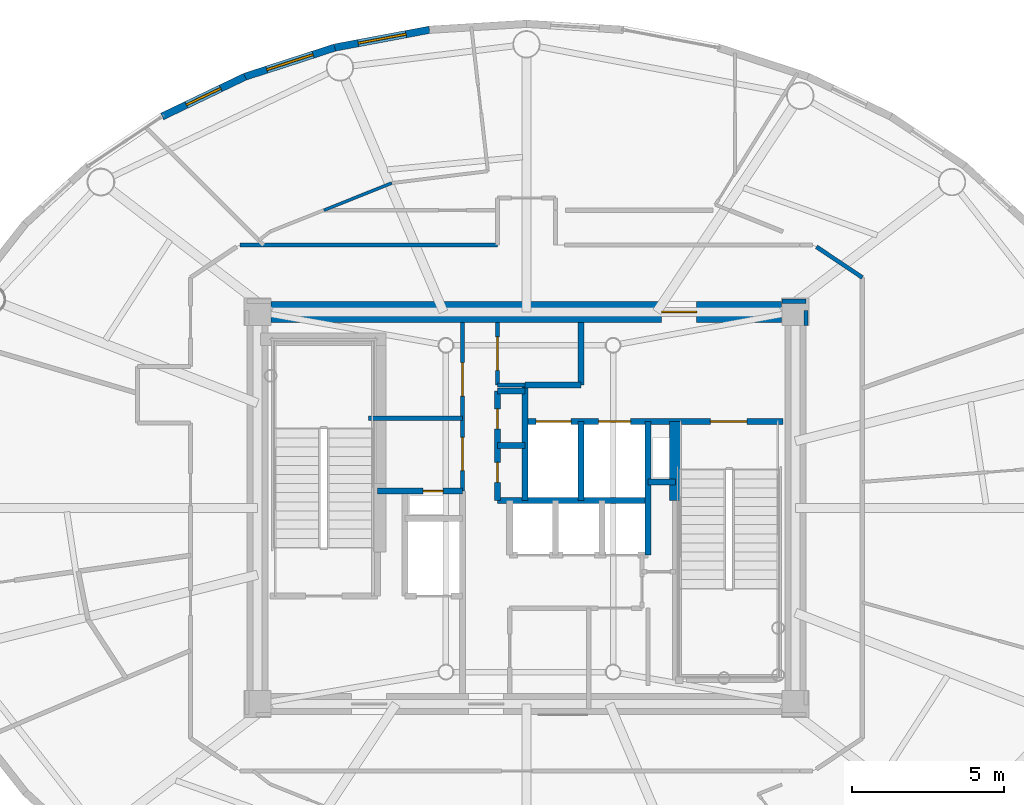
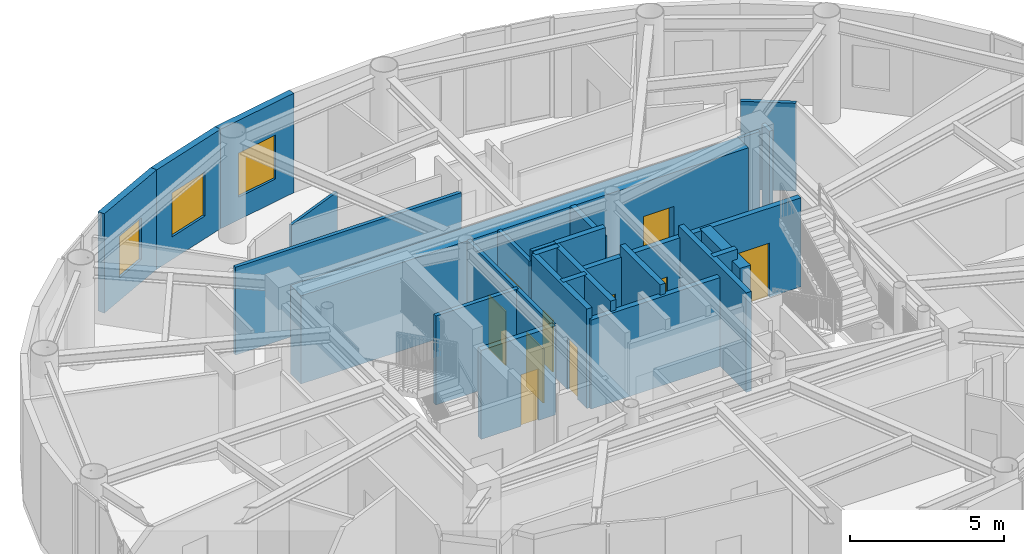
# One storey, part 16 of 24: 26 walls, 10 doors, 3 windows, 13 openings.
"""IFC4 building model written with IfcOpenShell, lengths in metres."""

from ifc_helpers import new_model, si_unit, direction, frame, frame_2d, origin, origin_2d, place, context, subcontext, project, spatial, rectangle, extrude, source, transform, mapped, material, layer, layer_set, type_object, element, fill, save


model = new_model("IFC4")

# Units and contexts
model_context = context("Model", 3, precision=1e-05, world=origin(), true_north=direction((0.0, 1.0)))
body_context = subcontext(model_context, "Body", "Model", "MODEL_VIEW")
ifc_project = project(units=[si_unit("LENGTHUNIT", "METRE"), si_unit("AREAUNIT", "SQUARE_METRE"), si_unit("VOLUMEUNIT", "CUBIC_METRE"), si_unit("PLANEANGLEUNIT", "RADIAN"), si_unit("MASSUNIT", "GRAM", prefix="KILO")], contexts=[model_context])

# Site, building, storey
site_placement = place(None, origin())
site = spatial("IfcSite", under=ifc_project, at=site_placement, CompositionType="ELEMENT")
building_placement = place(site_placement, origin())
building = spatial("IfcBuilding", under=site, at=building_placement, Name="Linh Dai School and Residence Tower", CompositionType="ELEMENT")
storey_placement = place(building_placement, frame((0.0, 0.0, 355.199951171875)))
storey = spatial("IfcBuildingStorey", under=building, at=storey_placement, Name="L88", CompositionType="ELEMENT", Elevation=355.199951171875)

# Wall, opening, window
ifc_material_1 = material(Name="Precast Concrete B45 (C35/45)", Category="concrete")
ifc_layer_1 = layer(ifc_material_1, 0.239990234375)
ifc_layer_set_1 = layer_set([ifc_layer_1], Name="Precast Concrete B45 (C35/45)")
wall_type_1 = type_object("IfcWallType", Name="EW-TC-240", PredefinedType="SOLIDWALL", material=ifc_layer_set_1)
wall_1_placement = place(storey_placement, frame((29.696044921875, 42.14794921875, 0.0), z_axis=(0.0, 0.0, 1.0), x_axis=(0.98276643264, 0.184851667226, 0.0)))
wall_1 = element("IfcWall", 1, at=wall_1_placement, inside=storey, type_object=wall_type_1, Name="L88 Terracotta Exterior Wall 12", PredefinedType="SOLIDWALL", context=body_context, shape_type="SweptSolid", body=[
    extrude(rectangle(XDim=3.167236328125, YDim=0.239990234375, at=frame_2d((1.58349609375, 0.0))), origin(), (0.0, 0.0, 1.0), 3.949951171875),
])
opening_1_placement = place(wall_1_placement, frame((0.78369140625, 0.0, 0.89990234375)))
opening_1 = element("IfcOpeningElement", 2, at=opening_1_placement, cuts=wall_1, Name="Opening W2", PredefinedType="OPENING", context=body_context, shape_type="SweptSolid", body=[
    extrude(rectangle(XDim=1.60009765625, YDim=1.75, at=origin_2d()), frame((0.800048828125, 0.1298828125, 0.875), z_axis=(0.0, -1.0, 0.0), x_axis=(1.0, 0.0, 0.0)), (0.0, 0.0, 1.0), 0.260009765625),
])
ifc_material_2 = material(Name="Double Low-E Insulated Glazing", Category="glass")
window_type_1 = type_object("IfcWindowType", Name="WN-RES-1600x1750", PartitioningType="DOUBLE_PANEL_VERTICAL", PredefinedType="WINDOW", material=ifc_material_2)
shared_shape_1 = source(origin(), body_context, "Body", "SweptSolid", [
    extrude(rectangle(XDim=1.60009765625, YDim=1.75, at=origin_2d()), frame((0.800048828125, 0.030029296875, 0.875), z_axis=(0.0, -1.0, 0.0), x_axis=(1.0, 0.0, 0.0)), (0.0, 0.0, 1.0), 0.06005859375),
])
window_1_placement = place(opening_1_placement, origin())
window_1 = element("IfcWindow", 3, at=window_1_placement, inside=storey, type_object=window_type_1, Name="L88 Exterior Window 12.1", OverallHeight=1.75, OverallWidth=1.60009765625, PartitioningType="DOUBLE_PANEL_VERTICAL", PredefinedType="WINDOW", context=body_context, shape_type="MappedRepresentation", body=[
    mapped(shared_shape_1, transform((0.0, 0.0, 0.0), x_axis=(1.0, 0.0, 0.0), y_axis=(0.0, 1.0, 0.0), z_axis=(0.0, 0.0, 1.0), scale=1.0)),
])
fill(opening_1, window_1)

wall_2_placement = place(storey_placement, frame((26.739501953125, 41.18896484375, 0.0), z_axis=(0.0, 0.0, 1.0), x_axis=(0.951212850731, 0.308535431682, 0.0)))
wall_2 = element("IfcWall", 4, at=wall_2_placement, inside=storey, type_object=wall_type_1, Name="L88 Terracotta Exterior Wall 13", PredefinedType="SOLIDWALL", context=body_context, shape_type="SweptSolid", body=[
    extrude(rectangle(XDim=3.108154296875, YDim=0.239990234375, at=frame_2d((1.55419921875, 0.0))), origin(), (0.0, 0.0, 1.0), 3.949951171875),
])
opening_2_placement = place(wall_2_placement, frame((0.754150390625, 0.0, 0.89990234375)))
opening_2 = element("IfcOpeningElement", 5, at=opening_2_placement, cuts=wall_2, Name="Opening W2", PredefinedType="OPENING", context=body_context, shape_type="SweptSolid", body=[
    extrude(rectangle(XDim=1.60009765625, YDim=1.75, at=origin_2d()), frame((0.800048828125, 0.1298828125, 0.875), z_axis=(0.0, -1.0, 0.0), x_axis=(1.0, 0.0, 0.0)), (0.0, 0.0, 1.0), 0.260009765625),
])
window_2_placement = place(opening_2_placement, origin())
window_2 = element("IfcWindow", 6, at=window_2_placement, inside=storey, type_object=window_type_1, Name="L88 Exterior Window 13.1", OverallHeight=1.75, OverallWidth=1.60009765625, PartitioningType="DOUBLE_PANEL_VERTICAL", PredefinedType="WINDOW", context=body_context, shape_type="MappedRepresentation", body=[
    mapped(shared_shape_1, transform((0.0, 0.0, 0.0), x_axis=(1.0, 0.0, 0.0), y_axis=(0.0, 1.0, 0.0), z_axis=(0.0, 0.0, 1.0), scale=1.0)),
])
fill(opening_2, window_2)

wall_3_placement = place(storey_placement, frame((24.01220703125, 39.880126953125, 0.0), z_axis=(0.0, 0.0, 1.0), x_axis=(0.901557057889, 0.432660226241, 0.0)))
wall_3 = element("IfcWall", 7, at=wall_3_placement, inside=storey, type_object=wall_type_1, Name="L88 Terracotta Exterior Wall 14", PredefinedType="SOLIDWALL", context=body_context, shape_type="SweptSolid", body=[
    extrude(rectangle(XDim=3.025146484375, YDim=0.239990234375, at=frame_2d((1.5126953125, 0.0))), origin(), (0.0, 0.0, 1.0), 3.949951171875),
])
opening_3_placement = place(wall_3_placement, frame((0.8876953125, 0.0, 0.89990234375)))
opening_3 = element("IfcOpeningElement", 8, at=opening_3_placement, cuts=wall_3, Name="Opening W3", PredefinedType="OPENING", context=body_context, shape_type="SweptSolid", body=[
    extrude(rectangle(XDim=1.25, YDim=1.64990234375, at=origin_2d()), frame((0.625, 0.1298828125, 0.824951171875), z_axis=(0.0, -1.0, 0.0), x_axis=(1.0, 0.0, 0.0)), (0.0, 0.0, 1.0), 0.260009765625),
])
window_type_2 = type_object("IfcWindowType", Name="WN-RES-1250x1650", PartitioningType="SINGLE_PANEL", PredefinedType="WINDOW", material=ifc_material_2)
shared_shape_2 = source(origin(), body_context, "Body", "SweptSolid", [
    extrude(rectangle(XDim=1.25, YDim=1.64990234375, at=origin_2d()), frame((0.625, 0.030029296875, 0.824951171875), z_axis=(0.0, -1.0, 0.0), x_axis=(1.0, 0.0, 0.0)), (0.0, 0.0, 1.0), 0.06005859375),
])
window_3_placement = place(opening_3_placement, origin())
window_3 = element("IfcWindow", 9, at=window_3_placement, inside=storey, type_object=window_type_2, Name="L88 Exterior Window 14.1", OverallHeight=1.64990234375, OverallWidth=1.25, PartitioningType="SINGLE_PANEL", PredefinedType="WINDOW", context=body_context, shape_type="MappedRepresentation", body=[
    mapped(shared_shape_2, transform((0.0, 0.0, 0.0), x_axis=(1.0, 0.0, 0.0), y_axis=(0.0, 1.0, 0.0), z_axis=(0.0, 0.0, 1.0), scale=1.0)),
])
fill(opening_3, window_3)

# Wall
ifc_material_3 = material(Name="Autoclaved Aerated Concrete Blockwork", Category="masonry")
ifc_layer_2 = layer(ifc_material_3, 0.135009765625)
ifc_layer_set_2 = layer_set([ifc_layer_2], Name="Autoclaved Aerated Concrete Blockwork")
wall_type_2 = type_object("IfcWallType", Name="IW-CORR-135-EI90", PredefinedType="PARTITIONING", material=ifc_layer_set_2)
wall_4_placement = place(storey_placement, frame((26.580078125, 35.64990234375, 0.0), z_axis=(0.0, 0.0, 1.0), x_axis=(1.0, 0.0, 0.0)))
element("IfcWall", 10, at=wall_4_placement, inside=storey, type_object=wall_type_2, Name="L88 Interior Partition Wall 015", PredefinedType="PARTITIONING", context=body_context, shape_type="SweptSolid", body=[
    extrude(rectangle(XDim=8.469970703125, YDim=0.135009765625, at=frame_2d((4.23486328125, 0.0))), origin(), (0.0, 0.0, 1.0), 3.485107421875),
])

# Wall, openings, doors
wall_5_placement = place(storey_placement, frame((33.89990234375, 27.56005859375, 0.0), z_axis=(0.0, 0.0, 1.0), x_axis=(0.0, 1.0, 0.0)))
wall_5 = element("IfcWall", 11, at=wall_5_placement, inside=storey, type_object=wall_type_2, Name="L88 Interior Partition Wall 033", PredefinedType="PARTITIONING", context=body_context, shape_type="SweptSolid", body=[
    extrude(rectangle(XDim=5.5400390625, YDim=0.135009765625, at=frame_2d((2.77001953125, 0.0))), origin(), (0.0, 0.0, 1.0), 3.53515625),
])
opening_4_placement = place(wall_5_placement, frame((0.6650390625, 0.0, 0.0)))
opening_4 = element("IfcOpeningElement", 12, at=opening_4_placement, cuts=wall_5, Name="Opening D07", PredefinedType="OPENING", context=body_context, shape_type="SweptSolid", body=[
    extrude(rectangle(XDim=1.10009765625, YDim=2.14990234375, at=origin_2d()), frame((0.550048828125, 0.07763671875, 1.074951171875), z_axis=(0.0, -1.0, 0.0), x_axis=(1.0, 0.0, 0.0)), (0.0, 0.0, 1.0), 0.155029296875),
])
opening_5_placement = place(wall_5_placement, frame((3.117431640625, 0.0, 0.0)))
opening_5 = element("IfcOpeningElement", 13, at=opening_5_placement, cuts=wall_5, Name="Opening D07", PredefinedType="OPENING", context=body_context, shape_type="SweptSolid", body=[
    extrude(rectangle(XDim=1.10009765625, YDim=2.14990234375, at=origin_2d()), frame((0.550048828125, 0.07763671875, 1.074951171875), z_axis=(0.0, -1.0, 0.0), x_axis=(1.0, 0.0, 0.0)), (0.0, 0.0, 1.0), 0.155029296875),
])
ifc_material_4 = material(Name="Fire-Rated Louvred Steel Plant Door", Category="steel")
door_type_1 = type_object("IfcDoorType", Name="DR-PLT-1100x2150-FD60S", OperationType="NOTDEFINED", PredefinedType="DOOR", material=ifc_material_4)
shared_shape_3 = source(origin(), body_context, "Body", "SweptSolid", [
    extrude(rectangle(XDim=1.10009765625, YDim=2.14990234375, at=origin_2d()), frame((0.550048828125, 0.02490234375, 1.074951171875), z_axis=(0.0, -1.0, 0.0), x_axis=(1.0, 0.0, 0.0)), (0.0, 0.0, 1.0), 0.050048828125),
])
door_1_placement = place(opening_4_placement, origin())
door_1 = element("IfcDoor", 14, at=door_1_placement, inside=storey, type_object=door_type_1, Name="L88 BMS and Data Room Door", OperationType="SINGLE_SWING_LEFT", OverallHeight=2.14990234375, OverallWidth=1.10009765625, PredefinedType="DOOR", context=body_context, shape_type="MappedRepresentation", body=[
    mapped(shared_shape_3, transform((0.0, 0.0, 0.0), x_axis=(1.0, 0.0, 0.0), y_axis=(0.0, 1.0, 0.0), z_axis=(0.0, 0.0, 1.0), scale=1.0)),
])
fill(opening_4, door_1)
door_2_placement = place(opening_5_placement, origin())
door_2 = element("IfcDoor", 15, at=door_2_placement, inside=storey, type_object=door_type_1, Name="L88 Housekeeping Linen Room Door", OperationType="SINGLE_SWING_RIGHT", OverallHeight=2.14990234375, OverallWidth=1.10009765625, PredefinedType="DOOR", context=body_context, shape_type="MappedRepresentation", body=[
    mapped(shared_shape_3, transform((0.0, 0.0, 0.0), x_axis=(1.0, 0.0, 0.0), y_axis=(0.0, 1.0, 0.0), z_axis=(0.0, 0.0, 1.0), scale=1.0)),
])
fill(opening_5, door_2)

# Wall, opening, door
wall_6_placement = place(storey_placement, frame((35.050048828125, 31.050048828125, 0.0), z_axis=(0.0, 0.0, 1.0), x_axis=(0.0, 1.0, 0.0)))
wall_6 = element("IfcWall", 16, at=wall_6_placement, inside=storey, type_object=wall_type_2, Name="L88 Interior Partition Wall 039", PredefinedType="PARTITIONING", context=body_context, shape_type="SweptSolid", body=[
    extrude(rectangle(XDim=2.050048828125, YDim=0.135009765625, at=frame_2d((1.02490234375, 0.0))), origin(), (0.0, 0.0, 1.0), 3.53515625),
])
opening_6_placement = place(wall_6_placement, frame((0.47509765625, 0.0, 0.0)))
opening_6 = element("IfcOpeningElement", 17, at=opening_6_placement, cuts=wall_6, Name="Opening D07", PredefinedType="OPENING", context=body_context, shape_type="SweptSolid", body=[
    extrude(rectangle(XDim=1.10009765625, YDim=2.14990234375, at=origin_2d()), frame((0.550048828125, 0.07763671875, 1.074951171875), z_axis=(0.0, -1.0, 0.0), x_axis=(1.0, 0.0, 0.0)), (0.0, 0.0, 1.0), 0.155029296875),
])
door_3_placement = place(opening_6_placement, origin())
door_3 = element("IfcDoor", 18, at=door_3_placement, inside=storey, type_object=door_type_1, Name="L88 North Telecom Switchroom Door", OperationType="SINGLE_SWING_LEFT", OverallHeight=2.14990234375, OverallWidth=1.10009765625, PredefinedType="DOOR", context=body_context, shape_type="MappedRepresentation", body=[
    mapped(shared_shape_3, transform((0.0, 0.0, 0.0), x_axis=(1.0, 0.0, 0.0), y_axis=(0.0, 1.0, 0.0), z_axis=(0.0, 0.0, 1.0), scale=1.0)),
])
fill(opening_6, door_3)

# Walls
wall_7_placement = place(storey_placement, frame((35.050048828125, 31.050048828125, 0.0), z_axis=(0.0, 0.0, 1.0), x_axis=(1.0, 0.0, 0.0)))
element("IfcWall", 19, at=wall_7_placement, inside=storey, type_object=wall_type_2, Name="L88 Interior Partition Wall 040", PredefinedType="PARTITIONING", context=body_context, shape_type="SweptSolid", body=[
    extrude(rectangle(XDim=0.89990234375, YDim=0.135009765625, at=frame_2d((0.449951171875, 0.0))), origin(), (0.0, 0.0, 1.0), 3.949951171875),
])
wall_8_placement = place(storey_placement, frame((45.541259765625, 35.591796875, 0.0), z_axis=(0.0, 0.0, 1.0), x_axis=(0.831180227396, -0.556003084151, 0.0)))
element("IfcWall", 20, at=wall_8_placement, inside=storey, type_object=wall_type_2, Name="L88 Interior Partition Wall 074", PredefinedType="PARTITIONING", context=body_context, shape_type="SweptSolid", body=[
    extrude(rectangle(XDim=1.815185546875, YDim=0.135009765625, at=frame_2d((0.90771484375, 0.0))), origin(), (0.0, 0.0, 1.0), 3.485107421875),
])
wall_9_placement = place(storey_placement, frame((45.199951171875, 33.800048828125, 0.0), z_axis=(0.0, 0.0, 1.0), x_axis=(-1.0, 0.0, 0.0)))
element("IfcWall", 21, at=wall_9_placement, inside=storey, type_object=wall_type_2, Name="L88 Interior Partition Wall 084", PredefinedType="PARTITIONING", context=body_context, shape_type="SweptSolid", body=[
    extrude(rectangle(XDim=0.7900390625, YDim=0.135009765625, at=frame_2d((0.39501953125, 0.0))), origin(), (0.0, 0.0, 1.0), 3.485107421875),
])
wall_10_placement = place(storey_placement, frame((45.199951171875, 33.010009765625, 0.0), z_axis=(0.0, 0.0, 1.0), x_axis=(0.0, 1.0, 0.0)))
element("IfcWall", 22, at=wall_10_placement, inside=storey, type_object=wall_type_2, Name="L88 Interior Partition Wall 091", PredefinedType="PARTITIONING", context=body_context, shape_type="SweptSolid", body=[
    extrude(rectangle(XDim=0.482421875, YDim=0.135009765625, at=frame_2d((0.2412109375, 0.0))), origin(), (0.0, 0.0, 1.0), 3.949951171875),
])
ifc_layer_3 = layer(ifc_material_3, 0.14990234375)
ifc_layer_set_3 = layer_set([ifc_layer_3], Name="Autoclaved Aerated Concrete Blockwork")
wall_type_3 = type_object("IfcWallType", Name="IW-SCH-150-EI60", PredefinedType="PARTITIONING", material=ifc_layer_set_3)
wall_11_placement = place(storey_placement, frame((30.800048828125, 29.949951171875, 0.0), z_axis=(0.0, 0.0, 1.0), x_axis=(1.0, 0.0, 0.0)))
element("IfcWall", 23, at=wall_11_placement, inside=storey, type_object=wall_type_3, Name="L88 Interior Partition Wall 024", PredefinedType="PARTITIONING", context=body_context, shape_type="SweptSolid", body=[
    extrude(rectangle(XDim=3.099853515625, YDim=0.14990234375, at=frame_2d((1.5498046875, 0.0))), origin(), (0.0, 0.0, 1.0), 3.53515625),
])

# Wall, opening, door
ifc_material_5 = material(Name="Concrete B45 (C35/45)", Category="concrete")
ifc_layer_4 = layer(ifc_material_5, 0.199951171875)
ifc_layer_set_4 = layer_set([ifc_layer_4], Name="Concrete B45 (C35/45)")
wall_type_4 = type_object("IfcWallType", Name="IW-SHAFT-200-EI120", PredefinedType="PARTITIONING", material=ifc_layer_set_4)
wall_12_placement = place(storey_placement, frame((31.10009765625, 27.550048828125, 0.0), z_axis=(0.0, 0.0, 1.0), x_axis=(1.0, 0.0, 0.0)))
wall_12 = element("IfcWall", 24, at=wall_12_placement, inside=storey, type_object=wall_type_4, Name="L88 Interior Partition Wall 026", PredefinedType="PARTITIONING", context=body_context, shape_type="SweptSolid", body=[
    extrude(rectangle(XDim=2.7998046875, YDim=0.199951171875, at=frame_2d((1.39990234375, 0.0))), origin(), (0.0, 0.0, 1.0), 3.53515625),
])
opening_7_placement = place(wall_12_placement, frame((1.5, 0.0, 0.0)))
opening_7 = element("IfcOpeningElement", 25, at=opening_7_placement, cuts=wall_12, Name="Opening AD1", PredefinedType="OPENING", context=body_context, shape_type="SweptSolid", body=[
    extrude(rectangle(XDim=0.659912109375, YDim=2.050048828125, at=origin_2d()), frame((0.330078125, 0.10986328125, 1.02490234375), z_axis=(0.0, -1.0, 0.0), x_axis=(1.0, 0.0, 0.0)), (0.0, 0.0, 1.0), 0.219970703125),
])
ifc_material_6 = material(Name="Fire-Rated Steel Riser Access Door", Category="steel")
door_type_2 = type_object("IfcDoorType", Name="DR-ACC-660x2050-FD90S", OperationType="NOTDEFINED", PredefinedType="USERDEFINED", material=ifc_material_6)
shared_shape_4 = source(origin(), body_context, "Body", "SweptSolid", [
    extrude(rectangle(XDim=0.659912109375, YDim=2.050048828125, at=origin_2d()), frame((0.330078125, 0.02490234375, 1.02490234375), z_axis=(0.0, -1.0, 0.0), x_axis=(1.0, 0.0, 0.0)), (0.0, 0.0, 1.0), 0.050048828125),
])
door_4_placement = place(opening_7_placement, origin())
door_4 = element("IfcDoor", 26, at=door_4_placement, inside=storey, type_object=door_type_2, Name="L88 Main Electrical Riser Access Door", ObjectType="ACCESS DOOR", OperationType="SINGLE_SWING_RIGHT", OverallHeight=2.050048828125, OverallWidth=0.659912109375, PredefinedType="USERDEFINED", context=body_context, shape_type="MappedRepresentation", body=[
    mapped(shared_shape_4, transform((0.0, 0.0, 0.0), x_axis=(1.0, 0.0, 0.0), y_axis=(0.0, 1.0, 0.0), z_axis=(0.0, 0.0, 1.0), scale=1.0)),
])
fill(opening_7, door_4)

# Wall, openings, doors
wall_13_placement = place(storey_placement, frame((35.050048828125, 27.25, 0.0), z_axis=(0.0, 0.0, 1.0), x_axis=(0.0, 1.0, 0.0)))
wall_13 = element("IfcWall", 27, at=wall_13_placement, inside=storey, type_object=wall_type_4, Name="L88 Interior Partition Wall 035", PredefinedType="PARTITIONING", context=body_context, shape_type="SweptSolid", body=[
    extrude(rectangle(XDim=3.60009765625, YDim=0.199951171875, at=frame_2d((1.800048828125, 0.0))), origin(), (0.0, 0.0, 1.0), 3.949951171875),
])
opening_8_placement = place(wall_13_placement, frame((0.590087890625, 0.0, 0.0)))
opening_8 = element("IfcOpeningElement", 28, at=opening_8_placement, cuts=wall_13, Name="Opening AD1", PredefinedType="OPENING", context=body_context, shape_type="SweptSolid", body=[
    extrude(rectangle(XDim=0.659912109375, YDim=2.050048828125, at=origin_2d()), frame((0.330078125, 0.10986328125, 1.02490234375), z_axis=(0.0, -1.0, 0.0), x_axis=(1.0, 0.0, 0.0)), (0.0, 0.0, 1.0), 0.219970703125),
])
opening_9_placement = place(wall_13_placement, frame((2.35009765625, 0.0, 0.0)))
opening_9 = element("IfcOpeningElement", 29, at=opening_9_placement, cuts=wall_13, Name="Opening AD1", PredefinedType="OPENING", context=body_context, shape_type="SweptSolid", body=[
    extrude(rectangle(XDim=0.659912109375, YDim=2.050048828125, at=origin_2d()), frame((0.330078125, 0.10986328125, 1.02490234375), z_axis=(0.0, -1.0, 0.0), x_axis=(1.0, 0.0, 0.0)), (0.0, 0.0, 1.0), 0.219970703125),
])
door_5_placement = place(opening_8_placement, origin())
door_5 = element("IfcDoor", 30, at=door_5_placement, inside=storey, type_object=door_type_2, Name="L88 Telecom and Data Riser Access Door", ObjectType="ACCESS DOOR", OperationType="SINGLE_SWING_LEFT", OverallHeight=2.050048828125, OverallWidth=0.659912109375, PredefinedType="USERDEFINED", context=body_context, shape_type="MappedRepresentation", body=[
    mapped(shared_shape_4, transform((0.0, 0.0, 0.0), x_axis=(1.0, 0.0, 0.0), y_axis=(0.0, 1.0, 0.0), z_axis=(0.0, 0.0, 1.0), scale=1.0)),
])
fill(opening_8, door_5)
door_6_placement = place(opening_9_placement, origin())
door_6 = element("IfcDoor", 31, at=door_6_placement, inside=storey, type_object=door_type_2, Name="L88 Mechanical and Plumbing Riser Access Door", ObjectType="ACCESS DOOR", OperationType="SINGLE_SWING_RIGHT", OverallHeight=2.050048828125, OverallWidth=0.659912109375, PredefinedType="USERDEFINED", context=body_context, shape_type="MappedRepresentation", body=[
    mapped(shared_shape_4, transform((0.0, 0.0, 0.0), x_axis=(1.0, 0.0, 0.0), y_axis=(0.0, 1.0, 0.0), z_axis=(0.0, 0.0, 1.0), scale=1.0)),
])
fill(opening_9, door_6)

# Walls
wall_14_placement = place(storey_placement, frame((35.050048828125, 27.25, 0.0), z_axis=(0.0, 0.0, 1.0), x_axis=(1.0, 0.0, 0.0)))
element("IfcWall", 32, at=wall_14_placement, inside=storey, type_object=wall_type_4, Name="L88 Interior Partition Wall 036", PredefinedType="PARTITIONING", context=body_context, shape_type="SweptSolid", body=[
    extrude(rectangle(XDim=4.949951171875, YDim=0.199951171875, at=frame_2d((2.47509765625, 0.0))), origin(), (0.0, 0.0, 1.0), 3.53515625),
])
for number, where, z_axis, x_axis, name in (
    (33, (35.050048828125, 29.050048828125, 0.0), (0.0, 0.0, 1.0), (1.0, 0.0, 0.0), "L88 Interior Partition Wall 037"),
    (34, (35.050048828125, 30.85009765625, 0.0), (0.0, 0.0, 1.0), (1.0, 0.0, 0.0), "L88 Interior Partition Wall 038"),
):
    element("IfcWall", number, at=place(storey_placement, frame(where, z_axis=z_axis, x_axis=x_axis)), inside=storey, type_object=wall_type_4, Name=name, PredefinedType="PARTITIONING", context=body_context, shape_type="SweptSolid", body=[
        extrude(rectangle(XDim=0.89990234375, YDim=0.199951171875, at=frame_2d((0.449951171875, 0.0))), origin(), (0.0, 0.0, 1.0), 3.949951171875),
    ])
wall_15_placement = place(storey_placement, frame((35.949951171875, 27.25, 0.0), z_axis=(0.0, 0.0, 1.0), x_axis=(0.0, 1.0, 0.0)))
element("IfcWall", 35, at=wall_15_placement, inside=storey, type_object=wall_type_4, Name="L88 Interior Partition Wall 047", PredefinedType="PARTITIONING", context=body_context, shape_type="SweptSolid", body=[
    extrude(rectangle(XDim=3.800048828125, YDim=0.199951171875, at=frame_2d((1.89990234375, 0.0))), origin(), (0.0, 0.0, 1.0), 3.949951171875),
])

# Wall, openings, doors
wall_16_placement = place(storey_placement, frame((35.949951171875, 29.85009765625, 0.0), z_axis=(0.0, 0.0, 1.0), x_axis=(1.0, 0.0, 0.0)))
wall_16 = element("IfcWall", 36, at=wall_16_placement, inside=storey, type_object=wall_type_4, Name="L88 Interior Partition Wall 048", PredefinedType="PARTITIONING", context=body_context, shape_type="SweptSolid", body=[
    extrude(rectangle(XDim=8.489990234375, YDim=0.199951171875, at=frame_2d((4.2451171875, 0.0))), origin(), (0.0, 0.0, 1.0), 3.53515625),
])
opening_10_placement = place(wall_16_placement, frame((6.10009765625, 0.0, 0.0)))
opening_10 = element("IfcOpeningElement", 37, at=opening_10_placement, cuts=wall_16, Name="Opening D01", PredefinedType="OPENING", context=body_context, shape_type="SweptSolid", body=[
    extrude(rectangle(XDim=1.199951171875, YDim=2.14990234375, at=origin_2d()), frame((0.60009765625, 0.10986328125, 1.074951171875), z_axis=(0.0, -1.0, 0.0), x_axis=(1.0, 0.0, 0.0)), (0.0, 0.0, 1.0), 0.219970703125),
])
opening_11_placement = place(wall_16_placement, frame((0.3701171875, 0.0, 0.0)))
opening_11 = element("IfcOpeningElement", 38, at=opening_11_placement, cuts=wall_16, Name="Opening LD-FF1", PredefinedType="OPENING", context=body_context, shape_type="SweptSolid", body=[
    extrude(rectangle(XDim=1.14990234375, YDim=2.14990234375, at=origin_2d()), frame((0.574951171875, 0.10986328125, 1.074951171875), z_axis=(0.0, -1.0, 0.0), x_axis=(1.0, 0.0, 0.0)), (0.0, 0.0, 1.0), 0.219970703125),
])
opening_12_placement = place(wall_16_placement, frame((2.425048828125, 0.0, 0.0)))
opening_12 = element("IfcOpeningElement", 39, at=opening_12_placement, cuts=wall_16, Name="Opening LD-SV1", PredefinedType="OPENING", context=body_context, shape_type="SweptSolid", body=[
    extrude(rectangle(XDim=1.050048828125, YDim=2.14990234375, at=origin_2d()), frame((0.52490234375, 0.10986328125, 1.074951171875), z_axis=(0.0, -1.0, 0.0), x_axis=(1.0, 0.0, 0.0)), (0.0, 0.0, 1.0), 0.219970703125),
])
ifc_material_7 = material(Name="Fire-Rated Steel Door Leaf", Category="steel")
door_type_3 = type_object("IfcDoorType", Name="DR-STAIR-1200x2150-FD90S", OperationType="NOTDEFINED", PredefinedType="DOOR", material=ifc_material_7)
shared_shape_5 = source(origin(), body_context, "Body", "SweptSolid", [
    extrude(rectangle(XDim=1.199951171875, YDim=2.14990234375, at=origin_2d()), frame((0.60009765625, 0.02490234375, 1.074951171875), z_axis=(0.0, -1.0, 0.0), x_axis=(1.0, 0.0, 0.0)), (0.0, 0.0, 1.0), 0.050048828125),
])
door_7_placement = place(opening_10_placement, origin())
door_7 = element("IfcDoor", 40, at=door_7_placement, inside=storey, type_object=door_type_3, Name="L88 Core Smokeproof Exit Stair ST2 Door", OperationType="SINGLE_SWING_LEFT", OverallHeight=2.14990234375, OverallWidth=1.199951171875, PredefinedType="DOOR", context=body_context, shape_type="MappedRepresentation", body=[
    mapped(shared_shape_5, transform((0.0, 0.0, 0.0), x_axis=(1.0, 0.0, 0.0), y_axis=(0.0, 1.0, 0.0), z_axis=(0.0, 0.0, 1.0), scale=1.0)),
])
fill(opening_10, door_7)
ifc_material_8 = material(Name="Fire-Rated Stainless Steel Firefighting Lift Door", Category="steel")
door_type_4 = type_object("IfcDoorType", Name="DR-LD-FF-1150x2150-FD120", OperationType="DOUBLE_DOOR_SLIDING", PredefinedType="USERDEFINED", material=ifc_material_8)
shared_shape_6 = source(origin(), body_context, "Body", "SweptSolid", [
    extrude(rectangle(XDim=1.14990234375, YDim=2.14990234375, at=origin_2d()), frame((0.574951171875, 0.02490234375, 1.074951171875), z_axis=(0.0, -1.0, 0.0), x_axis=(1.0, 0.0, 0.0)), (0.0, 0.0, 1.0), 0.050048828125),
])
door_8_placement = place(opening_11_placement, origin())
door_8 = element("IfcDoor", 41, at=door_8_placement, inside=storey, type_object=door_type_4, Name="L88 Lift FF1 Sliding Landing Door", ObjectType="LANDING DOOR", OperationType="DOUBLE_DOOR_SLIDING", OverallHeight=2.14990234375, OverallWidth=1.14990234375, PredefinedType="USERDEFINED", context=body_context, shape_type="MappedRepresentation", body=[
    mapped(shared_shape_6, transform((0.0, 0.0, 0.0), x_axis=(1.0, 0.0, 0.0), y_axis=(0.0, 1.0, 0.0), z_axis=(0.0, 0.0, 1.0), scale=1.0)),
])
fill(opening_11, door_8)
ifc_material_9 = material(Name="Brushed Stainless Steel Lift Landing Door", Category="steel")
door_type_5 = type_object("IfcDoorType", Name="DR-LD-PASS-1050x2150", OperationType="DOUBLE_DOOR_SLIDING", PredefinedType="USERDEFINED", material=ifc_material_9)
shared_shape_7 = source(origin(), body_context, "Body", "SweptSolid", [
    extrude(rectangle(XDim=1.050048828125, YDim=2.14990234375, at=origin_2d()), frame((0.52490234375, 0.02490234375, 1.074951171875), z_axis=(0.0, -1.0, 0.0), x_axis=(1.0, 0.0, 0.0)), (0.0, 0.0, 1.0), 0.050048828125),
])
door_9_placement = place(opening_12_placement, origin())
door_9 = element("IfcDoor", 42, at=door_9_placement, inside=storey, type_object=door_type_5, Name="L88 Lift SV1 Sliding Landing Door", ObjectType="LANDING DOOR", OperationType="DOUBLE_DOOR_SLIDING", OverallHeight=2.14990234375, OverallWidth=1.050048828125, PredefinedType="USERDEFINED", context=body_context, shape_type="MappedRepresentation", body=[
    mapped(shared_shape_7, transform((0.0, 0.0, 0.0), x_axis=(1.0, 0.0, 0.0), y_axis=(0.0, 1.0, 0.0), z_axis=(0.0, 0.0, 1.0), scale=1.0)),
])
fill(opening_12, door_9)

# Walls
wall_17_placement = place(storey_placement, frame((35.9599609375, 31.050048828125, 0.0), z_axis=(0.0, 0.0, 1.0), x_axis=(1.0, 0.0, 0.0)))
element("IfcWall", 43, at=wall_17_placement, inside=storey, type_object=wall_type_4, Name="L88 Interior Partition Wall 049", PredefinedType="PARTITIONING", context=body_context, shape_type="SweptSolid", body=[
    extrude(rectangle(XDim=1.840087890625, YDim=0.199951171875, at=frame_2d((0.919921875, 0.0))), origin(), (0.0, 0.0, 1.0), 3.949951171875),
])
wall_18_placement = place(storey_placement, frame((37.800048828125, 27.25, 0.0), z_axis=(0.0, 0.0, 1.0), x_axis=(0.0, 1.0, 0.0)))
element("IfcWall", 44, at=wall_18_placement, inside=storey, type_object=wall_type_4, Name="L88 Interior Partition Wall 055", PredefinedType="PARTITIONING", context=body_context, shape_type="SweptSolid", body=[
    extrude(rectangle(XDim=2.60009765625, YDim=0.199951171875, at=frame_2d((1.300048828125, 0.0))), origin(), (0.0, 0.0, 1.0), 3.949951171875),
])
wall_19_placement = place(storey_placement, frame((37.800048828125, 31.050048828125, 0.0), z_axis=(0.0, 0.0, 1.0), x_axis=(0.0, 1.0, 0.0)))
element("IfcWall", 45, at=wall_19_placement, inside=storey, type_object=wall_type_4, Name="L88 Interior Partition Wall 056", PredefinedType="PARTITIONING", context=body_context, shape_type="SweptSolid", body=[
    extrude(rectangle(XDim=2.050048828125, YDim=0.199951171875, at=frame_2d((1.02490234375, 0.0))), origin(), (0.0, 0.0, 1.0), 3.53515625),
])
wall_20_placement = place(storey_placement, frame((40.0, 25.449951171875, 0.0), z_axis=(0.0, 0.0, 1.0), x_axis=(0.0, 1.0, 0.0)))
element("IfcWall", 46, at=wall_20_placement, inside=storey, type_object=wall_type_4, Name="L88 Interior Partition Wall 061", PredefinedType="PARTITIONING", context=body_context, shape_type="SweptSolid", body=[
    extrude(rectangle(XDim=4.400146484375, YDim=0.199951171875, at=frame_2d((2.2001953125, 0.0))), origin(), (0.0, 0.0, 1.0), 3.949951171875),
])
wall_21_placement = place(storey_placement, frame((40.0, 27.85009765625, 0.0), z_axis=(0.0, 0.0, 1.0), x_axis=(1.0, 0.0, 0.0)))
element("IfcWall", 47, at=wall_21_placement, inside=storey, type_object=wall_type_4, Name="L88 Interior Partition Wall 062", PredefinedType="PARTITIONING", context=body_context, shape_type="SweptSolid", body=[
    extrude(rectangle(XDim=0.89990234375, YDim=0.199951171875, at=frame_2d((0.449951171875, 0.0))), origin(), (0.0, 0.0, 1.0), 3.949951171875),
])
ifc_material_10 = material(Name="Gypsum Plasterboard Acoustic Stud Partition", Category="masonry")
ifc_layer_5 = layer(ifc_material_10, 0.10009765625)
ifc_layer_set_5 = layer_set([ifc_layer_5], Name="Gypsum Plasterboard Acoustic Stud Partition")
wall_type_5 = type_object("IfcWallType", Name="IW-UNIT-100", PredefinedType="PARTITIONING", material=ifc_layer_set_5)
wall_22_placement = place(storey_placement, frame((29.33642578125, 36.7958984375, 0.0), z_axis=(0.0, 0.0, 1.0), x_axis=(0.928350426012, 0.371706183058, 0.0)))
element("IfcWall", 48, at=wall_22_placement, inside=storey, type_object=wall_type_5, Name="L88 Interior Partition Wall 022", PredefinedType="PARTITIONING", context=body_context, shape_type="SweptSolid", body=[
    extrude(rectangle(XDim=2.4013671875, YDim=0.10009765625, at=frame_2d((1.20068359375, 0.0))), origin(), (0.0, 0.0, 1.0), 3.485107421875),
])
ifc_layer_6 = layer(ifc_material_5, 0.39990234375)
ifc_layer_set_6 = layer_set([ifc_layer_6], Name="Concrete B45 (C35/45)")
wall_type_6 = type_object("IfcWallType", Name="WL-CORE400", PredefinedType="SHEAR", material=ifc_layer_set_6)
wall_23_placement = place(storey_placement, frame((40.89990234375, 27.25, 0.0), z_axis=(0.0, 0.0, 1.0), x_axis=(0.0, 1.0, 0.0)))
element("IfcWall", 49, at=wall_23_placement, inside=storey, type_object=wall_type_6, Name="L88 Internal Core Shear Wall IE", PredefinedType="SHEAR", context=body_context, shape_type="SweptSolid", body=[
    extrude(rectangle(XDim=2.60009765625, YDim=0.39990234375, at=frame_2d((1.300048828125, 0.0))), origin(), (0.0, 0.0, 1.0), 3.550048828125),
])

# Wall, opening, door
ifc_layer_7 = layer(ifc_material_5, 0.699951171875)
ifc_layer_set_7 = layer_set([ifc_layer_7], Name="Concrete B45 (C35/45)")
wall_type_7 = type_object("IfcWallType", Name="WL-CORE700", PredefinedType="SHEAR", material=ifc_layer_set_7)
wall_24_placement = place(storey_placement, frame((27.60009765625, 33.449951171875, 0.0), z_axis=(0.0, 0.0, 1.0), x_axis=(1.0, 0.0, 0.0)))
wall_24 = element("IfcWall", 50, at=wall_24_placement, inside=storey, type_object=wall_type_7, Name="L88 Central Core Shear Wall N", PredefinedType="SHEAR", context=body_context, shape_type="SweptSolid", body=[
    extrude(rectangle(XDim=16.7998046875, YDim=0.699951171875, at=frame_2d((8.39990234375, 0.0))), origin(), (0.0, 0.0, 1.0), 3.5),
])
opening_13_placement = place(wall_24_placement, frame((12.85009765625, 0.0, 0.0)))
opening_13 = element("IfcOpeningElement", 51, at=opening_13_placement, cuts=wall_24, Name="Opening D02", PredefinedType="OPENING", context=body_context, shape_type="SweptSolid", body=[
    extrude(rectangle(XDim=1.14990234375, YDim=2.14990234375, at=origin_2d()), frame((0.574951171875, 0.35986328125, 1.074951171875), z_axis=(0.0, -1.0, 0.0), x_axis=(1.0, 0.0, 0.0)), (0.0, 0.0, 1.0), 0.719970703125),
])
ifc_material_11 = material(Name="Fire-Rated Glazed Steel Lobby Door", Category="steel")
door_type_6 = type_object("IfcDoorType", Name="DR-LOBBY-1150x2150-FD90S", OperationType="NOTDEFINED", PredefinedType="DOOR", material=ifc_material_11)
shared_shape_8 = source(origin(), body_context, "Body", "SweptSolid", [
    extrude(rectangle(XDim=1.14990234375, YDim=2.14990234375, at=origin_2d()), frame((0.574951171875, 0.02490234375, 1.074951171875), z_axis=(0.0, -1.0, 0.0), x_axis=(1.0, 0.0, 0.0)), (0.0, 0.0, 1.0), 0.050048828125),
])
door_10_placement = place(opening_13_placement, origin())
door_10 = element("IfcDoor", 52, at=door_10_placement, inside=storey, type_object=door_type_6, Name="L88 Firefighting Lobby Door", OperationType="SINGLE_SWING_RIGHT", OverallHeight=2.14990234375, OverallWidth=1.14990234375, PredefinedType="DOOR", context=body_context, shape_type="MappedRepresentation", body=[
    mapped(shared_shape_8, transform((0.0, 0.0, 0.0), x_axis=(1.0, 0.0, 0.0), y_axis=(0.0, 1.0, 0.0), z_axis=(0.0, 0.0, 1.0), scale=1.0)),
])
fill(opening_13, door_10)

save(model, "model.ifc")
